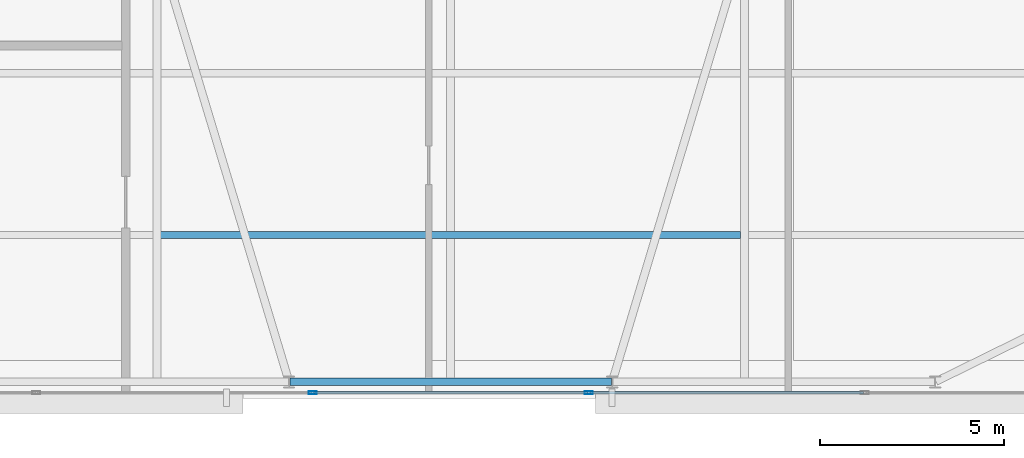
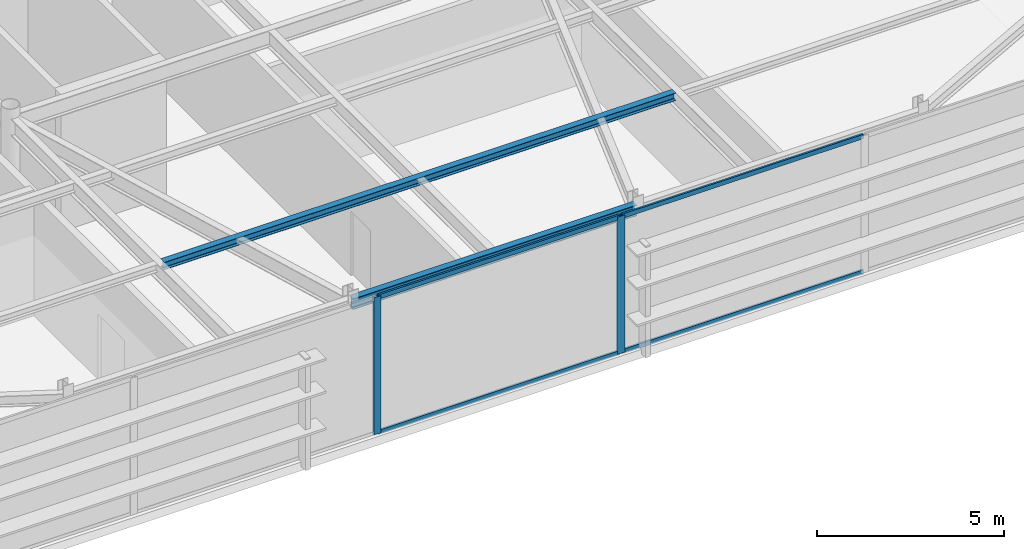
# One storey, part 8 of 20: 6 members, 2 beams, 1 element without a shape of its own.
"""IFC4 building model written with IfcOpenShell, lengths in metres."""

from ifc_helpers import new_model, si_unit, direction, frame, origin, origin_2d, place, context, subcontext, project, spatial, hollow_rectangle, i_section, extrude, source, transform, mapped, material, layer, layer_set, material_profile, profile_set, type_object, type_shapes, element, aggregate, save


model = new_model("IFC4")

# Units and contexts
model_context = context("Model", 3, precision=1e-05, world=origin(), true_north=direction((0.0, 1.0)))
body_context = subcontext(model_context, "Body", "Model", "MODEL_VIEW")
ifc_project = project(units=[si_unit("LENGTHUNIT", "METRE"), si_unit("AREAUNIT", "SQUARE_METRE"), si_unit("VOLUMEUNIT", "CUBIC_METRE"), si_unit("PLANEANGLEUNIT", "RADIAN"), si_unit("MASSUNIT", "GRAM", prefix="KILO")], contexts=[model_context])

# Site, building, storey
site_placement = place(None, origin())
site = spatial("IfcSite", under=ifc_project, at=site_placement, CompositionType="ELEMENT")
building_placement = place(site_placement, origin())
building = spatial("IfcBuilding", under=site, at=building_placement, Name="Varnel Quay Broadcast Tower", CompositionType="ELEMENT")
storey_placement = place(building_placement, frame((0.0, 0.0, 309.800048828125)))
storey = spatial("IfcBuildingStorey", under=building, at=storey_placement, Name="L77", CompositionType="ELEMENT", Elevation=309.800048828125)

# Beams
ifc_material_1 = material(Name="Structural Steel CSA G40.21 350W", Category="steel")
ifc_material_profile_1 = material_profile(ifc_material_1, i_section(OverallWidth=0.205078125, OverallDepth=0.35400390625, WebThickness=0.009521484375, FlangeThickness=0.016845703125, FilletRadius=0.012939453125, at=origin_2d()), Name="W360X79")
ifc_profile_set_1 = profile_set([ifc_material_profile_1], Name="Structural Steel CSA G40.21 350W")
beam_type_1 = type_object("IfcBeamType", Name="Beam_W360X79", PredefinedType="SPANDREL", material=ifc_profile_set_1)
shared_shape_1 = source(origin(), body_context, "Body", "SweptSolid", [
    extrude(i_section(OverallWidth=0.205078125, OverallDepth=0.35400390625, WebThickness=0.009521484375, FlangeThickness=0.016845703125, FilletRadius=0.012939453125, at=origin_2d()), origin(), (0.0, 0.0, 1.0), 8.759765625),
])
type_shapes(beam_type_1, [shared_shape_1])
beam_1_placement = place(storey_placement, frame((29.6201171875, 13.64990234375, 4.302978515625), z_axis=(1.0, 0.0, 0.0), x_axis=(0.0, 1.0, 0.0)))
element("IfcBeam", 1, at=beam_1_placement, inside=storey, type_object=beam_type_1, Name="L77 South Spandrel TC-S2-TC-S3", PredefinedType="SPANDREL", context=body_context, shape_type="MappedRepresentation", body=[
    mapped(shared_shape_1, transform((0.0, 0.0, 0.0), x_axis=(1.0, 0.0, 0.0), y_axis=(0.0, 1.0, 0.0), z_axis=(0.0, 0.0, 1.0), scale=1.0)),
])
ifc_material_profile_2 = material_profile(ifc_material_1, i_section(OverallWidth=0.201904296875, OverallDepth=0.2470703125, WebThickness=0.00732421875, FlangeThickness=0.010986328125, FilletRadius=0.010986328125, at=origin_2d()), Name="W250X49")
ifc_profile_set_2 = profile_set([ifc_material_profile_2], Name="Structural Steel CSA G40.21 350W")
beam_type_2 = type_object("IfcBeamType", Name="Beam_W250X49", PredefinedType="JOIST", material=ifc_profile_set_2)
shared_shape_2 = source(origin(), body_context, "Body", "SweptSolid", [
    extrude(i_section(OverallWidth=0.201904296875, OverallDepth=0.2470703125, WebThickness=0.00732421875, FlangeThickness=0.010986328125, FilletRadius=0.010986328125, at=origin_2d()), origin(), (0.0, 0.0, 1.0), 15.7978515625),
])
type_shapes(beam_type_2, [shared_shape_2])
beam_2_placement = place(storey_placement, frame((26.10107421875, 17.64990234375, 4.3564453125), z_axis=(1.0, 0.0, 0.0), x_axis=(0.0, 1.0, 0.0)))
element("IfcBeam", 2, at=beam_2_placement, inside=storey, type_object=beam_type_2, Name="L77 Central Floor Joist 1", PredefinedType="JOIST", context=body_context, shape_type="MappedRepresentation", body=[
    mapped(shared_shape_2, transform((0.0, 0.0, 0.0), x_axis=(1.0, 0.0, 0.0), y_axis=(0.0, 1.0, 0.0), z_axis=(0.0, 0.0, 1.0), scale=1.0)),
])

# Curtain wall, members
ifc_material_2 = material(Name="Anodised Bronze Aluminium 6063-T6", Category="aluminium")
ifc_layer = layer(ifc_material_2, 0.18994140625, Name="Anodised Bronze Aluminium 6063-T6")
ifc_layer_set = layer_set([ifc_layer], Name="Anodised Bronze Aluminium 6063-T6")
curtain_wall_type = type_object("IfcCurtainWallType", Name="CW_SkyObsHighVis", PredefinedType="NOTDEFINED", material=ifc_layer_set)
curtain_wall_placement = place(storey_placement, origin())
curtain_wall = element("IfcCurtainWall", 3, at=curtain_wall_placement, inside=storey, type_object=curtain_wall_type, Name="L77 South Unitised Curtain Wall 1", PredefinedType="NOTDEFINED")
ifc_material_profile_3 = material_profile(ifc_material_2, hollow_rectangle(XDim=0.06005859375, YDim=0.14501953125, WallThickness=0.00341796875, at=origin_2d()), Name="ALU60X145X3.5")
ifc_profile_set_3 = profile_set([ifc_material_profile_3], Name="Anodised Bronze Aluminium 6063-T6")
member_type_1 = type_object("IfcMemberType", Name="Tran_CWS-05", PredefinedType="USERDEFINED", material=ifc_profile_set_3)
shared_shape_3 = source(origin(), body_context, "Body", "SweptSolid", [
    extrude(hollow_rectangle(XDim=0.06005859375, YDim=0.14501953125, WallThickness=0.00341796875, at=origin_2d()), origin(), (0.0, 0.0, 1.0), 7.44482421875),
])
type_shapes(member_type_1, [shared_shape_3])
member_1_placement = place(storey_placement, frame((30.277587890625, 13.35009765625, 0.030029296875), z_axis=(1.0, 0.0, 0.0), x_axis=(0.0, 1.0, 0.0)))
member_1 = element("IfcMember", 4, at=member_1_placement, type_object=member_type_1, Name="CWS-05 transom 3.1", ObjectType="TRANSOM", PredefinedType="USERDEFINED", context=body_context, shape_type="MappedRepresentation", body=[
    mapped(shared_shape_3, transform((0.0, 0.0, 0.0), x_axis=(1.0, 0.0, 0.0), y_axis=(0.0, 1.0, 0.0), z_axis=(0.0, 0.0, 1.0), scale=1.0)),
])
member_2_placement = place(storey_placement, frame((30.277587890625, 13.35009765625, 4.449951171875), z_axis=(1.0, 0.0, 0.0), x_axis=(0.0, 1.0, 0.0)))
member_2 = element("IfcMember", 5, at=member_2_placement, type_object=member_type_1, Name="CWS-05 transom 3.2", ObjectType="TRANSOM", PredefinedType="USERDEFINED", context=body_context, shape_type="MappedRepresentation", body=[
    mapped(shared_shape_3, transform((0.0, 0.0, 0.0), x_axis=(1.0, 0.0, 0.0), y_axis=(0.0, 1.0, 0.0), z_axis=(0.0, 0.0, 1.0), scale=1.0)),
])
member_3_placement = place(storey_placement, frame((37.797607421875, 13.35009765625, 0.030029296875), z_axis=(1.0, 0.0, 0.0), x_axis=(0.0, 1.0, 0.0)))
member_3 = element("IfcMember", 6, at=member_3_placement, type_object=member_type_1, Name="CWS-05 transom 4.1", ObjectType="TRANSOM", PredefinedType="USERDEFINED", context=body_context, shape_type="MappedRepresentation", body=[
    mapped(shared_shape_3, transform((0.0, 0.0, 0.0), x_axis=(1.0, 0.0, 0.0), y_axis=(0.0, 1.0, 0.0), z_axis=(0.0, 0.0, 1.0), scale=1.0)),
])
member_4_placement = place(storey_placement, frame((37.797607421875, 13.35009765625, 4.449951171875), z_axis=(1.0, 0.0, 0.0), x_axis=(0.0, 1.0, 0.0)))
member_4 = element("IfcMember", 7, at=member_4_placement, type_object=member_type_1, Name="CWS-05 transom 4.2", ObjectType="TRANSOM", PredefinedType="USERDEFINED", context=body_context, shape_type="MappedRepresentation", body=[
    mapped(shared_shape_3, transform((0.0, 0.0, 0.0), x_axis=(1.0, 0.0, 0.0), y_axis=(0.0, 1.0, 0.0), z_axis=(0.0, 0.0, 1.0), scale=1.0)),
])
ifc_material_profile_4 = material_profile(ifc_material_2, hollow_rectangle(XDim=0.074951171875, YDim=0.219970703125, WallThickness=0.00390625, at=origin_2d()), Name="ALU75X220X4")
ifc_profile_set_4 = profile_set([ifc_material_profile_4], Name="Anodised Bronze Aluminium 6063-T6")
member_type_2 = type_object("IfcMemberType", Name="Mull_CWS-05", PredefinedType="MULLION", material=ifc_profile_set_4)
shared_shape_4 = source(origin(), body_context, "Body", "SweptSolid", [
    extrude(hollow_rectangle(XDim=0.074951171875, YDim=0.219970703125, WallThickness=0.00390625, at=origin_2d()), origin(), (0.0, 0.0, 1.0), 4.47998046875),
])
type_shapes(member_type_2, [shared_shape_4])
member_5_placement = place(storey_placement, frame((30.239990234375, 13.35009765625, 0.0), z_axis=(0.0, 0.0, 1.0), x_axis=(0.0, 1.0, 0.0)))
member_5 = element("IfcMember", 8, at=member_5_placement, type_object=member_type_2, Name="CWS-05 mullion 3", PredefinedType="MULLION", context=body_context, shape_type="MappedRepresentation", body=[
    mapped(shared_shape_4, transform((0.0, 0.0, 0.0), x_axis=(1.0, 0.0, 0.0), y_axis=(0.0, 1.0, 0.0), z_axis=(0.0, 0.0, 1.0), scale=1.0)),
])
member_6_placement = place(storey_placement, frame((37.760009765625, 13.35009765625, 0.0), z_axis=(0.0, 0.0, 1.0), x_axis=(0.0, 1.0, 0.0)))
member_6 = element("IfcMember", 9, at=member_6_placement, type_object=member_type_2, Name="CWS-05 mullion 4", PredefinedType="MULLION", context=body_context, shape_type="MappedRepresentation", body=[
    mapped(shared_shape_4, transform((0.0, 0.0, 0.0), x_axis=(1.0, 0.0, 0.0), y_axis=(0.0, 1.0, 0.0), z_axis=(0.0, 0.0, 1.0), scale=1.0)),
])
aggregate(curtain_wall, [member_5, member_6, member_1, member_2, member_3, member_4])

save(model, "model.ifc")
